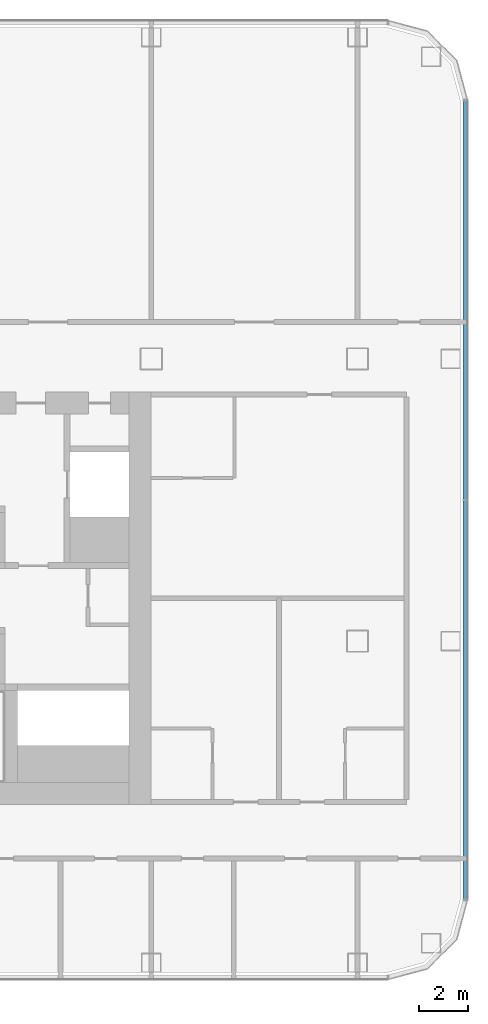
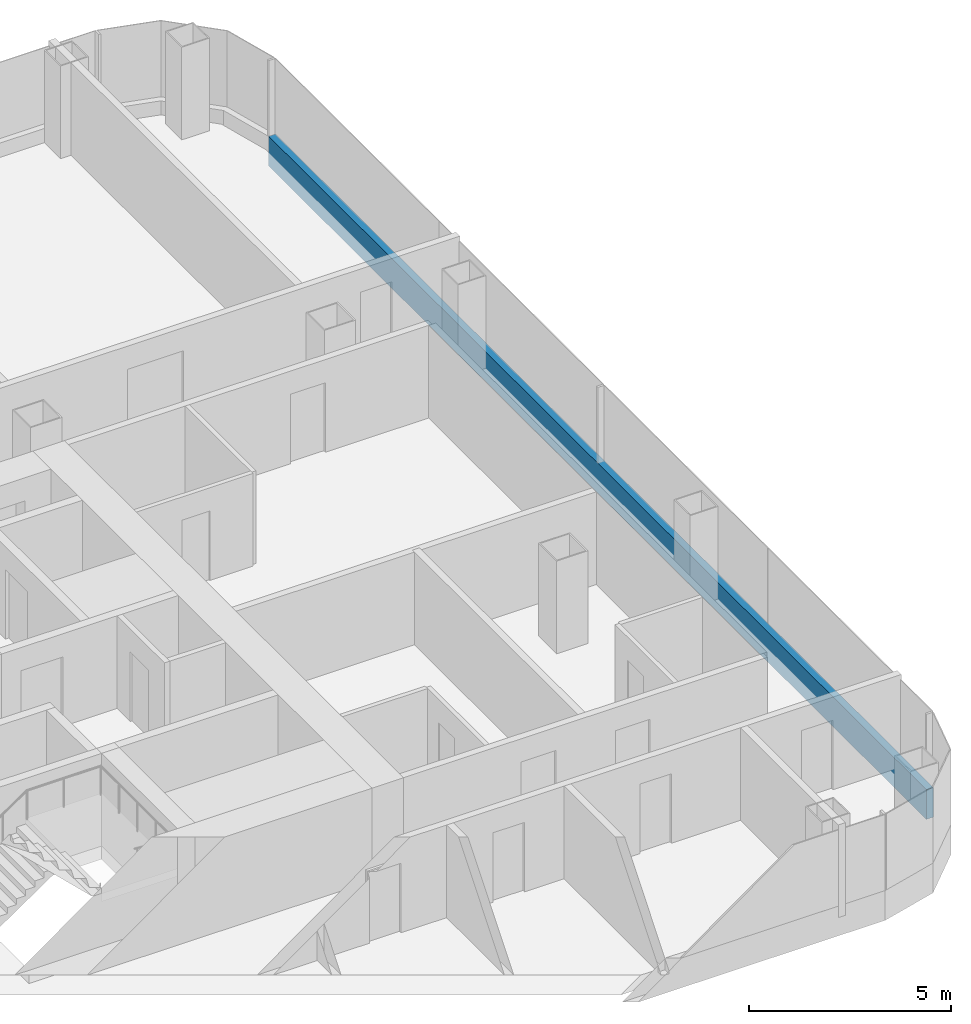
# One storey, part 12 of 29: 1 member, 1 element without a shape of its own.
"""IFC4 building model written with IfcOpenShell, lengths in metres."""

from ifc_helpers import new_model, si_unit, direction, frame, origin, origin_2d, place, context, subcontext, project, spatial, rectangle, extrude, material, layer, layer_set, material_profile, profile_set, type_object, element, aggregate, save


model = new_model("IFC4")

# Units and contexts
model_context = context("Model", 3, precision=1e-05, world=origin(), true_north=direction((0.0, 1.0)))
body_context = subcontext(model_context, "Body", "Model", "MODEL_VIEW")
ifc_project = project(units=[si_unit("LENGTHUNIT", "METRE"), si_unit("AREAUNIT", "SQUARE_METRE"), si_unit("VOLUMEUNIT", "CUBIC_METRE"), si_unit("PLANEANGLEUNIT", "RADIAN"), si_unit("MASSUNIT", "GRAM", prefix="KILO")], contexts=[model_context])

# Site, building, storey
site_placement = place(None, origin())
site = spatial("IfcSite", under=ifc_project, at=site_placement, CompositionType="ELEMENT")
building_placement = place(site_placement, origin())
building = spatial("IfcBuilding", under=site, at=building_placement, Name="Hakoniwa Tower and Hamabe Station Hall", CompositionType="ELEMENT")
storey_placement = place(building_placement, frame((0.0, 0.0, 85.0)))
storey = spatial("IfcBuildingStorey", under=building, at=storey_placement, Name="L23", CompositionType="ELEMENT", Elevation=85.0)

# Curtain wall, member
ifc_material_1 = material(Name="Dark low-e laminated glass", Category="glass")
ifc_layer = layer(ifc_material_1, 0.199951171875)
ifc_layer_set = layer_set([ifc_layer], Name="CW-1 UNITISED GUEST")
curtain_wall_type = type_object("IfcCurtainWallType", Name="CW-1 UNITISED GUEST", PredefinedType="NOTDEFINED", material=ifc_layer_set)
curtain_wall_placement = place(storey_placement, origin())
curtain_wall = element("IfcCurtainWall", 1, at=curtain_wall_placement, inside=storey, type_object=curtain_wall_type, Name="CW-1 curtain wall", PredefinedType="NOTDEFINED")
ifc_material_2 = material(Name="Aluminium 6063-T5 black anodised", Category="aluminium")
ifc_material_profile = material_profile(ifc_material_2, rectangle(XDim=0.199951171875, YDim=0.89990234375, at=origin_2d()), Name="CW SLAB-EDGE BAND 900X200")
ifc_profile_set = profile_set([ifc_material_profile], Name="Aluminium 6063-T5 black anodised")
member_type = type_object("IfcMemberType", Name="CW SLAB-EDGE BAND 900X200", PredefinedType="USERDEFINED", material=ifc_profile_set)
member_placement = place(storey_placement, frame((46.39990234375, -12.28955078125, -0.10009765625), z_axis=(0.0, 1.0, 0.0), x_axis=(-1.0, 0.0, 0.0)))
member = element("IfcMember", 2, at=member_placement, type_object=member_type, Name="CW-1 transom", ObjectType="TRANSOM", PredefinedType="USERDEFINED", context=body_context, shape_type="SweptSolid", body=[
    extrude(rectangle(XDim=0.199951171875, YDim=0.89990234375, at=origin_2d()), origin(), (0.0, 0.0, 1.0), 32.5791015625),
])
aggregate(curtain_wall, [member])

save(model, "model.ifc")
